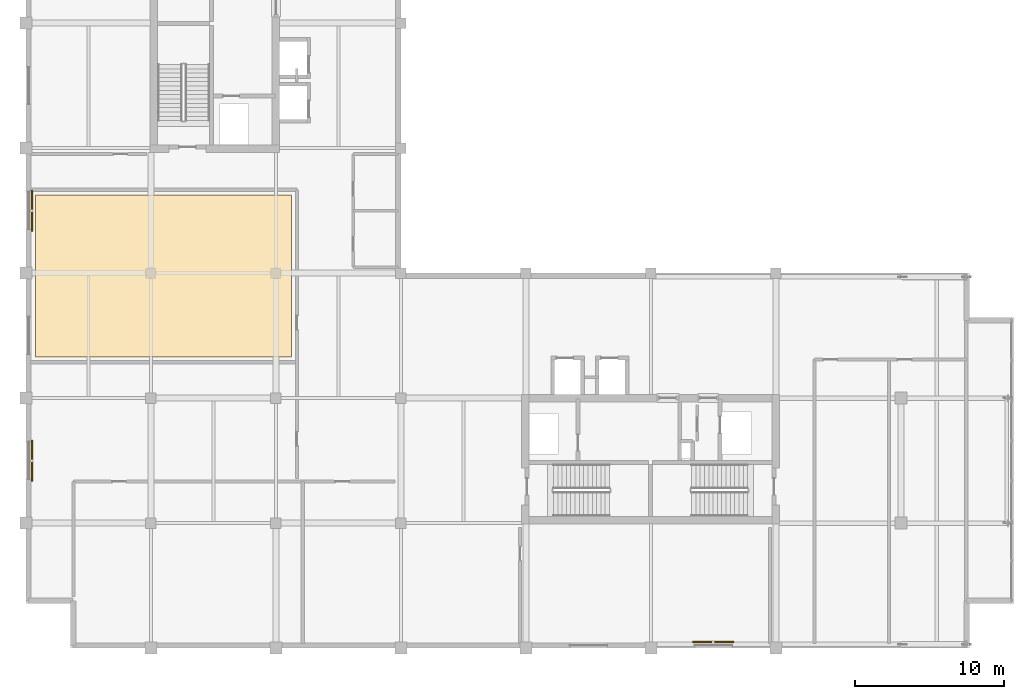
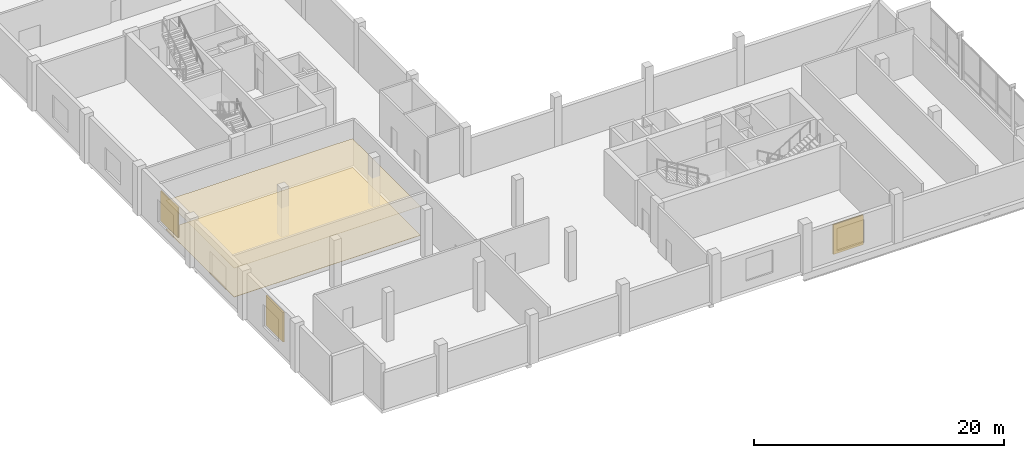
# One storey, part 16 of 18: 3 shading devices, 2 coverings.
"""IFC4 building model written with IfcOpenShell, lengths in metres."""

from ifc_helpers import new_model, si_unit, direction, frame, origin, origin_2d, place, context, subcontext, project, spatial, polyline, rectangle, outline, extrude, material, layer, layer_set, type_object, element, save


model = new_model("IFC4")

# Units and contexts
model_context = context("Model", 3, precision=1e-05, world=origin(), true_north=direction((0.0, 1.0)))
body_context = subcontext(model_context, "Body", "Model", "MODEL_VIEW")
ifc_project = project(units=[si_unit("LENGTHUNIT", "METRE"), si_unit("AREAUNIT", "SQUARE_METRE"), si_unit("VOLUMEUNIT", "CUBIC_METRE"), si_unit("PLANEANGLEUNIT", "RADIAN"), si_unit("MASSUNIT", "GRAM", prefix="KILO")], contexts=[model_context])

# Site, building, storey
site_placement = place(None, origin())
site = spatial("IfcSite", under=ifc_project, at=site_placement, CompositionType="ELEMENT")
building_placement = place(site_placement, origin())
building = spatial("IfcBuilding", under=site, at=building_placement, Name="Koriwani Terraces Tower", CompositionType="ELEMENT")
storey_placement = place(building_placement, frame((0.0, 0.0, 363.800048828125)))
storey = spatial("IfcBuildingStorey", under=building, at=storey_placement, Name="L90", CompositionType="ELEMENT", Elevation=363.800048828125)

# Coverings
ifc_material_1 = material(Name="Fire-Rated Acoustic Gypsum Partition", Category="masonry")
ifc_layer_1 = layer(ifc_material_1, 0.02490234375, Name="Fire-Rated Acoustic Gypsum Partition")
ifc_layer_set_1 = layer_set([ifc_layer_1], Name="Fire-Rated Acoustic Gypsum Partition")
covering_type_1 = type_object("IfcCoveringType", Name="CEILING_ACOUSTIC_GYPSUM", PredefinedType="CEILING", material=ifc_layer_set_1)
covering_1_placement = place(storey_placement, frame((0.0, 0.0, 2.824951171875)))
element("IfcCovering", 1, at=covering_1_placement, inside=storey, type_object=covering_type_1, Name="L90 Suspended Acoustic Gypsum Ceiling", PredefinedType="CEILING", context=body_context, shape_type="SweptSolid", body=[
    extrude(outline(polyline([(9.050048828125, 27.949951171875), (9.050048828125, 38.85009765625), (26.25, 38.85009765625), (26.25, 27.949951171875), (9.050048828125, 27.949951171875)])), origin(), (0.0, 0.0, 1.0), 0.02490234375),
])
ifc_material_2 = material(Name="Polished Andean Slate Flooring", Category="masonry")
ifc_layer_2 = layer(ifc_material_2, 0.030029296875, Name="Polished Andean Slate Flooring")
ifc_layer_set_2 = layer_set([ifc_layer_2], Name="Polished Andean Slate Flooring")
covering_type_2 = type_object("IfcCoveringType", Name="FLOORING_ANDEAN_STONE", PredefinedType="FLOORING", material=ifc_layer_set_2)
covering_2_placement = place(storey_placement, origin())
element("IfcCovering", 2, at=covering_2_placement, inside=storey, type_object=covering_type_2, Name="L90 Polished Andean Slate Floor Finish", PredefinedType="FLOORING", context=body_context, shape_type="SweptSolid", body=[
    extrude(outline(polyline([(9.050048828125, 27.949951171875), (9.050048828125, 38.85009765625), (26.25, 38.85009765625), (26.25, 27.949951171875), (9.050048828125, 27.949951171875)])), origin(), (0.0, 0.0, 1.0), 0.030029296875),
])

# Shading devices
ifc_material_3 = material(Name="Extruded Terracotta Clay", Category="masonry")
ifc_layer_3 = layer(ifc_material_3, 0.1201171875, Name="Extruded Terracotta Clay")
ifc_layer_set_3 = layer_set([ifc_layer_3], Name="Extruded Terracotta Clay")
shading_device_type = type_object("IfcShadingDeviceType", Name="TERRACOTTA_BAGUETTE_SCREEN_2800", PredefinedType="USERDEFINED", material=ifc_layer_set_3)
for number, where, z_axis, x_axis, name in (
    (3, (8.804931640625, 21.0, 0.77490234375), (0.0, 0.0, 1.0), (0.0, 1.0, 0.0), "L90 Extruded Terracotta Baguette Screen (W-3)"),
    (4, (8.804931640625, 37.800048828125, 0.77490234375), (0.0, 0.0, 1.0), (0.0, 1.0, 0.0), "L90 Extruded Terracotta Baguette Screen (W-9)"),
    (5, (54.60009765625, 8.804931640625, 0.349609375), (0.0, 0.0, 1.0), (-1.0, 0.0, 0.0), "L90 Extruded Terracotta Baguette Screen (S-15)"),
):
    element("IfcShadingDevice", number, at=place(storey_placement, frame(where, z_axis=z_axis, x_axis=x_axis)), inside=storey, type_object=shading_device_type, Name=name, ObjectType="BAGUETTE", PredefinedType="USERDEFINED", context=body_context, shape_type="SweptSolid", body=[
        extrude(rectangle(XDim=2.760009765625, YDim=0.1201171875, at=origin_2d()), origin(), (0.0, 0.0, 1.0), 2.89990234375),
    ])

save(model, "model.ifc")
